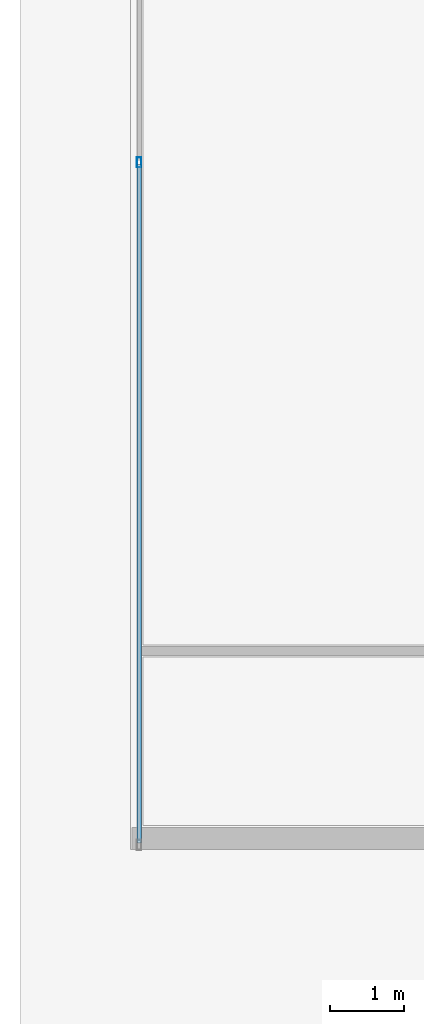
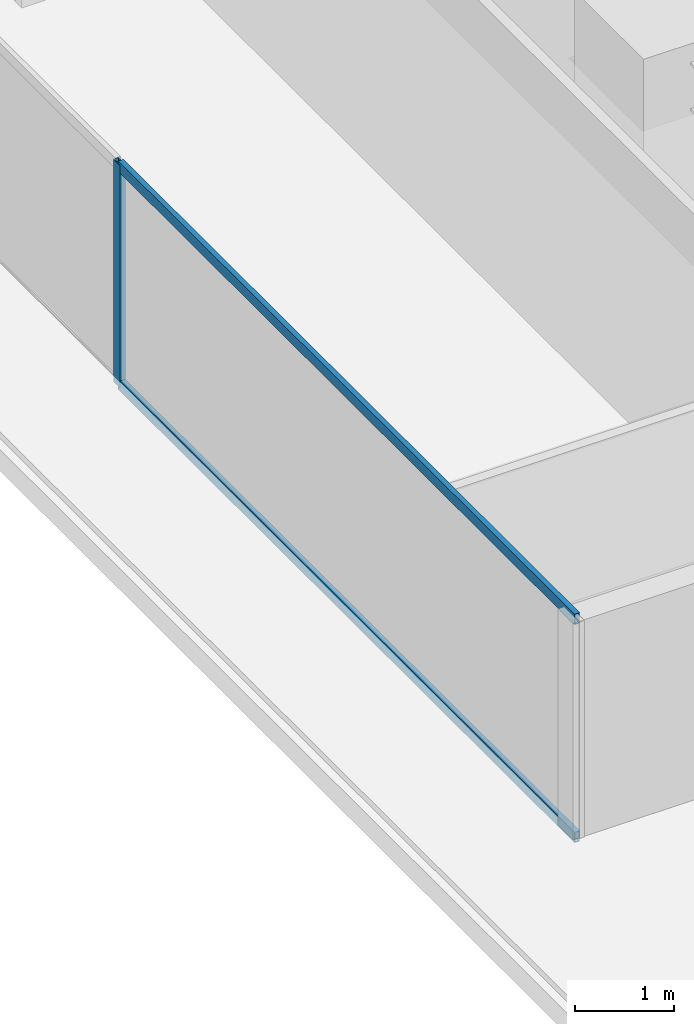
# One storey, part 4 of 27: 3 members, 1 element without a shape of its own.
"""IFC4 building model written with IfcOpenShell, lengths in metres."""

from ifc_helpers import new_model, si_unit, direction, frame, origin, origin_2d, place, context, subcontext, project, spatial, hollow_rectangle, extrude, source, transform, mapped, material, layer, layer_set, material_profile, profile_set, type_object, element, aggregate, save


model = new_model("IFC4")

# Units and contexts
model_context = context("Model", 3, precision=1e-05, world=origin(), true_north=direction((0.0, 1.0)))
body_context = subcontext(model_context, "Body", "Model", "MODEL_VIEW")
ifc_project = project(units=[si_unit("LENGTHUNIT", "METRE"), si_unit("AREAUNIT", "SQUARE_METRE"), si_unit("VOLUMEUNIT", "CUBIC_METRE"), si_unit("PLANEANGLEUNIT", "RADIAN"), si_unit("MASSUNIT", "GRAM", prefix="KILO")], contexts=[model_context])

# Site, building, storey
site_placement = place(None, origin())
site = spatial("IfcSite", under=ifc_project, at=site_placement, CompositionType="ELEMENT")
building_placement = place(site_placement, origin())
building = spatial("IfcBuilding", under=site, at=building_placement, Name="Sumidabori Civic Tower", CompositionType="ELEMENT")
storey_placement = place(building_placement, frame((0.0, 0.0, 228.800048828125)))
storey = spatial("IfcBuildingStorey", under=building, at=storey_placement, Name="L59", CompositionType="ELEMENT", Elevation=228.800048828125)

# Curtain wall, members
ifc_material = material(Name="Anodised Bronze Aluminium AW-6063-T6", Category="aluminium")
ifc_layer = layer(ifc_material, 0.179931640625, Name="Anodised Bronze Aluminium AW-6063-T6")
ifc_layer_set = layer_set([ifc_layer], Name="Anodised Bronze Aluminium AW-6063-T6")
curtain_wall_type = type_object("IfcCurtainWallType", Name="CW-SYS-5", PredefinedType="NOTDEFINED", material=ifc_layer_set)
curtain_wall_placement = place(storey_placement, origin())
curtain_wall = element("IfcCurtainWall", 1, at=curtain_wall_placement, inside=storey, type_object=curtain_wall_type, Name="Curtain Wall CW:L59:R11", PredefinedType="NOTDEFINED")
ifc_material_profile_1 = material_profile(ifc_material, hollow_rectangle(XDim=0.06005859375, YDim=0.139892578125, WallThickness=0.0048828125, at=origin_2d()), Name="ALU MULLION 140x60")
ifc_profile_set_1 = profile_set([ifc_material_profile_1], Name="Anodised Bronze Aluminium AW-6063-T6")
member_type_1 = type_object("IfcMemberType", Name="CW-MUL-140", PredefinedType="MULLION", material=ifc_profile_set_1)
shared_shape_1 = source(origin(), body_context, "Body", "SweptSolid", [
    extrude(hollow_rectangle(XDim=0.06005859375, YDim=0.139892578125, WallThickness=0.0048828125, at=origin_2d()), origin(), (0.0, 0.0, 1.0), 2.75),
])
member_1_placement = place(storey_placement, frame((-22.3798828125, 1.443359375, 0.0), z_axis=(0.0, 0.0, 1.0), x_axis=(1.0, 0.0, 0.0)))
member_1 = element("IfcMember", 2, at=member_1_placement, type_object=member_type_1, Name="CW-5 mullion 3", PredefinedType="MULLION", context=body_context, shape_type="MappedRepresentation", body=[
    mapped(shared_shape_1, transform((0.0, 0.0, 0.0), x_axis=(1.0, 0.0, 0.0), y_axis=(0.0, 1.0, 0.0), z_axis=(0.0, 0.0, 1.0), scale=1.0)),
])
ifc_material_profile_2 = material_profile(ifc_material, hollow_rectangle(XDim=0.06005859375, YDim=0.1298828125, WallThickness=0.0048828125, at=origin_2d()), Name="ALU TRANSOM 130x60")
ifc_profile_set_2 = profile_set([ifc_material_profile_2], Name="Anodised Bronze Aluminium AW-6063-T6")
member_type_2 = type_object("IfcMemberType", Name="CW-TRN-130", PredefinedType="USERDEFINED", material=ifc_profile_set_2)
shared_shape_2 = source(origin(), body_context, "Body", "SweptSolid", [
    extrude(hollow_rectangle(XDim=0.06005859375, YDim=0.1298828125, WallThickness=0.0048828125, at=origin_2d()), origin(), (0.0, 0.0, 1.0), 9.223388671875),
])
member_2_placement = place(storey_placement, frame((-22.3798828125, 1.413330078125, 0.030029296875), z_axis=(0.0, -1.0, 0.0), x_axis=(1.0, 0.0, 0.0)))
member_2 = element("IfcMember", 3, at=member_2_placement, type_object=member_type_2, Name="CW-5 transom 3.1", ObjectType="TRANSOM", PredefinedType="USERDEFINED", context=body_context, shape_type="MappedRepresentation", body=[
    mapped(shared_shape_2, transform((0.0, 0.0, 0.0), x_axis=(1.0, 0.0, 0.0), y_axis=(0.0, 1.0, 0.0), z_axis=(0.0, 0.0, 1.0), scale=1.0)),
])
member_3_placement = place(storey_placement, frame((-22.3798828125, 1.413330078125, 2.719970703125), z_axis=(0.0, -1.0, 0.0), x_axis=(1.0, 0.0, 0.0)))
member_3 = element("IfcMember", 4, at=member_3_placement, type_object=member_type_2, Name="CW-5 transom 3.2", ObjectType="TRANSOM", PredefinedType="USERDEFINED", context=body_context, shape_type="MappedRepresentation", body=[
    mapped(shared_shape_2, transform((0.0, 0.0, 0.0), x_axis=(1.0, 0.0, 0.0), y_axis=(0.0, 1.0, 0.0), z_axis=(0.0, 0.0, 1.0), scale=1.0)),
])
aggregate(curtain_wall, [member_1, member_2, member_3])

save(model, "model.ifc")
